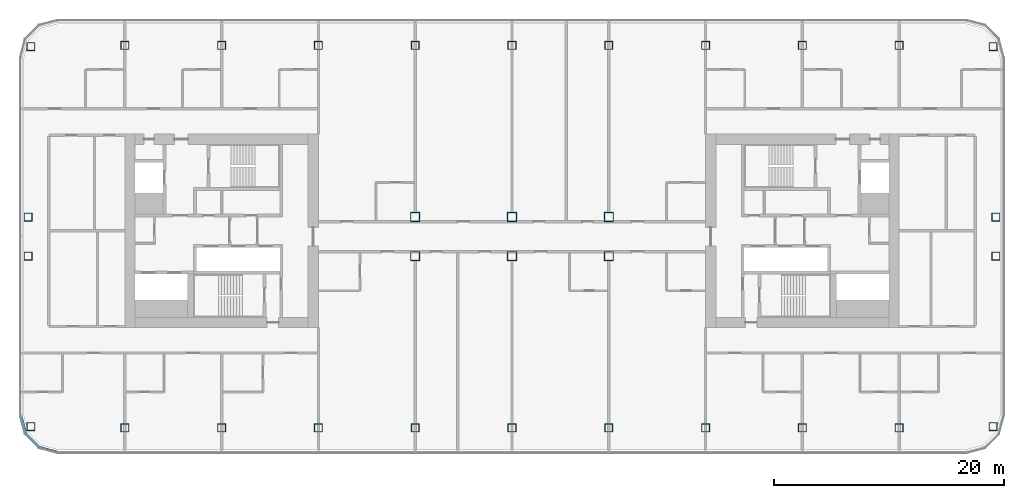
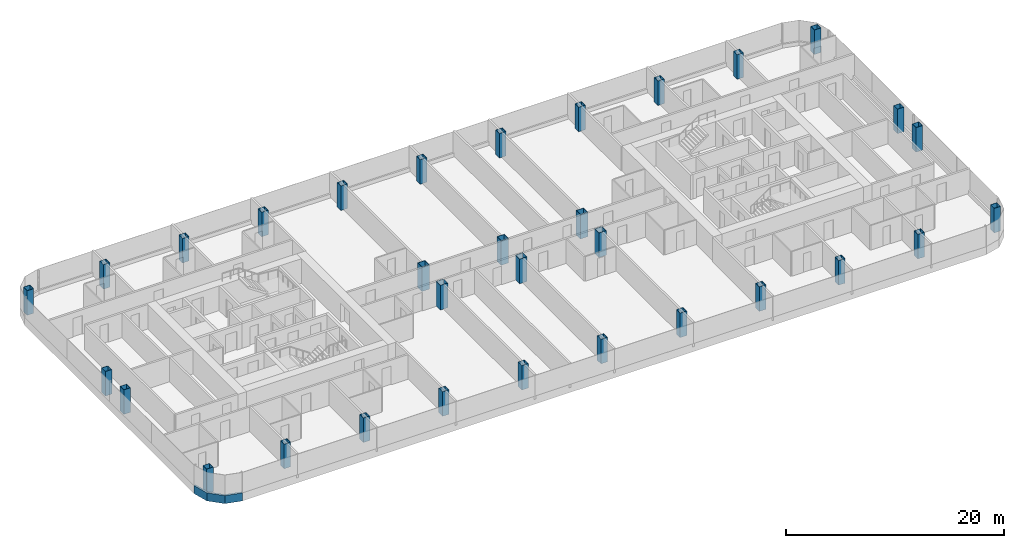
# One storey, part 1 of 25: 32 columns, 1 member, 1 element without a shape of its own.
"""IFC4 building model written with IfcOpenShell, lengths in metres."""

from ifc_helpers import new_model, si_unit, direction, frame, origin, origin_2d, place, context, subcontext, project, spatial, polyline, rectangle, hollow_rectangle, outline, extrude, material, layer, layer_set, material_profile, profile_set, type_object, element, aggregate, save


model = new_model("IFC4")

# Units and contexts
model_context = context("Model", 3, precision=1e-05, world=origin(), true_north=direction((0.0, 1.0)))
body_context = subcontext(model_context, "Body", "Model", "MODEL_VIEW")
ifc_project = project(units=[si_unit("LENGTHUNIT", "METRE"), si_unit("AREAUNIT", "SQUARE_METRE"), si_unit("VOLUMEUNIT", "CUBIC_METRE"), si_unit("PLANEANGLEUNIT", "RADIAN"), si_unit("MASSUNIT", "GRAM", prefix="KILO")], contexts=[model_context])

# Site, building, storey
site_placement = place(None, origin())
site = spatial("IfcSite", under=ifc_project, at=site_placement, CompositionType="ELEMENT")
building_placement = place(site_placement, origin())
building = spatial("IfcBuilding", under=site, at=building_placement, Name="Hakoniwa Tower and Hamabe Station Hall", CompositionType="ELEMENT")
storey_placement = place(building_placement, frame((0.0, 0.0, 147.0)))
storey = spatial("IfcBuildingStorey", under=building, at=storey_placement, Name="L41", CompositionType="ELEMENT", Elevation=147.0)

# Columns
ifc_material_1 = material(Name="Steel SN490C", Category="steel")
ifc_material_profile_1 = material_profile(ifc_material_1, hollow_rectangle(XDim=0.699951171875, YDim=0.699951171875, WallThickness=0.028076171875, at=origin_2d()), Name="BX-700x700x28")
ifc_profile_set_1 = profile_set([ifc_material_profile_1], Name="Steel SN490C")
column_type_1 = type_object("IfcColumnType", Name="COLUMN BX-700x700x28", PredefinedType="COLUMN", material=ifc_profile_set_1)
for number, where, z_axis, x_axis, name in (
    (1, (-41.74853515625, -16.99365234375, 0.0), (0.0, 0.0, 1.0), (1.0, 0.0, 0.0), "Column B3-2-A3"),
    (2, (-42.0, -2.199951171875, 0.0), (0.0, 0.0, 1.0), (1.0, 0.0, 0.0), "Column B3-2-C3"),
    (3, (-42.0, 1.199951171875, 0.0), (0.0, 0.0, 1.0), (1.0, 0.0, 0.0), "Column B3-2-D3"),
    (4, (-41.74853515625, 15.99365234375, 0.0), (0.0, 0.0, 1.0), (1.0, 0.0, 0.0), "Column B3-2-F3"),
    (5, (-33.60009765625, -17.10009765625, 0.0), (0.0, 0.0, 1.0), (1.0, 0.0, 0.0), "Column B3-3-A3"),
    (6, (-33.60009765625, 16.10009765625, 0.0), (0.0, 0.0, 1.0), (1.0, 0.0, 0.0), "Column B3-3-F3"),
    (7, (-25.199951171875, -17.10009765625, 0.0), (0.0, 0.0, 1.0), (1.0, 0.0, 0.0), "Column B3-4-A3"),
    (8, (-25.199951171875, 16.10009765625, 0.0), (0.0, 0.0, 1.0), (1.0, 0.0, 0.0), "Column B3-4-F3"),
    (9, (-16.800048828125, -17.10009765625, 0.0), (0.0, 0.0, 1.0), (1.0, 0.0, 0.0), "Column B3-5-A3"),
    (10, (-16.800048828125, 16.10009765625, 0.0), (0.0, 0.0, 1.0), (1.0, 0.0, 0.0), "Column B3-5-F3"),
    (11, (-8.39990234375, -17.10009765625, 0.0), (0.0, 0.0, 1.0), (1.0, 0.0, 0.0), "Column B3-6-A3"),
    (12, (-8.39990234375, 16.10009765625, 0.0), (0.0, 0.0, 1.0), (1.0, 0.0, 0.0), "Column B3-6-F3"),
    (13, (0.0, -17.10009765625, 0.0), (0.0, 0.0, 1.0), (1.0, 0.0, 0.0), "Column B3-7-A3"),
    (14, (0.0, 16.10009765625, 0.0), (0.0, 0.0, 1.0), (1.0, 0.0, 0.0), "Column B3-7-F3"),
    (15, (8.39990234375, -17.10009765625, 0.0), (0.0, 0.0, 1.0), (1.0, 0.0, 0.0), "Column B3-8-A3"),
    (16, (8.39990234375, 16.10009765625, 0.0), (0.0, 0.0, 1.0), (1.0, 0.0, 0.0), "Column B3-8-F3"),
    (17, (16.800048828125, -17.10009765625, 0.0), (0.0, 0.0, 1.0), (1.0, 0.0, 0.0), "Column B3-9-A3"),
    (18, (16.800048828125, 16.10009765625, 0.0), (0.0, 0.0, 1.0), (1.0, 0.0, 0.0), "Column B3-9-F3"),
    (19, (25.199951171875, -17.10009765625, 0.0), (0.0, 0.0, 1.0), (1.0, 0.0, 0.0), "Column B3-10-A3"),
    (20, (25.199951171875, 16.10009765625, 0.0), (0.0, 0.0, 1.0), (1.0, 0.0, 0.0), "Column B3-10-F3"),
    (21, (33.60009765625, -17.10009765625, 0.0), (0.0, 0.0, 1.0), (1.0, 0.0, 0.0), "Column B3-11-A3"),
    (22, (33.60009765625, 16.10009765625, 0.0), (0.0, 0.0, 1.0), (1.0, 0.0, 0.0), "Column B3-11-F3"),
    (23, (41.74853515625, -16.99365234375, 0.0), (0.0, 0.0, 1.0), (1.0, 0.0, 0.0), "Column B3-12-A3"),
    (24, (42.0, -2.199951171875, 0.0), (0.0, 0.0, 1.0), (1.0, 0.0, 0.0), "Column B3-12-C3"),
    (25, (42.0, 1.199951171875, 0.0), (0.0, 0.0, 1.0), (1.0, 0.0, 0.0), "Column B3-12-D3"),
    (26, (41.74853515625, 15.99365234375, 0.0), (0.0, 0.0, 1.0), (1.0, 0.0, 0.0), "Column B3-12-F3"),
):
    element("IfcColumn", number, at=place(storey_placement, frame(where, z_axis=z_axis, x_axis=x_axis)), inside=storey, type_object=column_type_1, Name=name, PredefinedType="COLUMN", context=body_context, shape_type="SweptSolid", body=[
        extrude(hollow_rectangle(XDim=0.699951171875, YDim=0.699951171875, WallThickness=0.028076171875, at=origin_2d()), origin(), (0.0, 0.0, 1.0), 2.75),
    ])
ifc_material_2 = material(Name="Steel SN490C", Category="steel")
ifc_material_profile_2 = material_profile(ifc_material_2, hollow_rectangle(XDim=0.800048828125, YDim=0.800048828125, WallThickness=0.031982421875, at=origin_2d()), Name="BX-800x800x32")
ifc_profile_set_2 = profile_set([ifc_material_profile_2], Name="Steel SN490C")
column_type_2 = type_object("IfcColumnType", Name="COLUMN BX-800x800x32", PredefinedType="COLUMN", material=ifc_profile_set_2)
for number, where, z_axis, x_axis, name in (
    (27, (-8.39990234375, -2.199951171875, 0.0), (0.0, 0.0, 1.0), (1.0, 0.0, 0.0), "Column B3-6-C3"),
    (28, (-8.39990234375, 1.199951171875, 0.0), (0.0, 0.0, 1.0), (1.0, 0.0, 0.0), "Column B3-6-D3"),
    (29, (0.0, -2.199951171875, 0.0), (0.0, 0.0, 1.0), (1.0, 0.0, 0.0), "Column B3-7-C3"),
    (30, (0.0, 1.199951171875, 0.0), (0.0, 0.0, 1.0), (1.0, 0.0, 0.0), "Column B3-7-D3"),
    (31, (8.39990234375, -2.199951171875, 0.0), (0.0, 0.0, 1.0), (1.0, 0.0, 0.0), "Column B3-8-C3"),
    (32, (8.39990234375, 1.199951171875, 0.0), (0.0, 0.0, 1.0), (1.0, 0.0, 0.0), "Column B3-8-D3"),
):
    element("IfcColumn", number, at=place(storey_placement, frame(where, z_axis=z_axis, x_axis=x_axis)), inside=storey, type_object=column_type_2, Name=name, PredefinedType="COLUMN", context=body_context, shape_type="SweptSolid", body=[
        extrude(hollow_rectangle(XDim=0.800048828125, YDim=0.800048828125, WallThickness=0.031982421875, at=origin_2d()), origin(), (0.0, 0.0, 1.0), 2.75),
    ])

# Curtain wall, member
ifc_material_3 = material(Name="Dark low-e laminated glass", Category="glass")
ifc_layer = layer(ifc_material_3, 0.199951171875)
ifc_layer_set = layer_set([ifc_layer], Name="CW-1 UNITISED GUEST")
curtain_wall_type = type_object("IfcCurtainWallType", Name="CW-1 UNITISED GUEST", PredefinedType="NOTDEFINED", material=ifc_layer_set)
curtain_wall_placement = place(storey_placement, origin())
curtain_wall = element("IfcCurtainWall", 33, at=curtain_wall_placement, inside=storey, type_object=curtain_wall_type, Name="CW-1 curtain wall", PredefinedType="NOTDEFINED")
ifc_material_4 = material(Name="Aluminium 6063-T5 black anodised", Category="aluminium")
ifc_material_profile_3 = material_profile(ifc_material_4, rectangle(XDim=0.199951171875, YDim=0.89990234375, at=origin_2d()), Name="CW SLAB-EDGE BAND 900X200")
ifc_profile_set_3 = profile_set([ifc_material_profile_3], Name="Aluminium 6063-T5 black anodised")
member_type = type_object("IfcMemberType", Name="CW SLAB-EDGE BAND 900X200", PredefinedType="USERDEFINED", material=ifc_profile_set_3)
member_placement = place(storey_placement, frame((0.0, 0.0, -0.550048828125)))
member = element("IfcMember", 34, at=member_placement, type_object=member_type, Name="CW-1 transom", ObjectType="TRANSOM", PredefinedType="USERDEFINED", context=body_context, shape_type="SweptSolid", body=[
    extrude(outline(polyline([(-42.699951171875, -16.03955078125), (-42.26708984375, -17.6552734375), (-41.05517578125, -18.866943359375), (-39.439453125, -19.300048828125), (-39.3876953125, -19.10693359375), (-40.95166015625, -18.687744140625), (-42.087646484375, -17.5517578125), (-42.5068359375, -15.98779296875), (-42.699951171875, -16.03955078125)])), origin(), (0.0, 0.0, 1.0), 0.900146484375),
])
aggregate(curtain_wall, [member])

save(model, "model.ifc")
